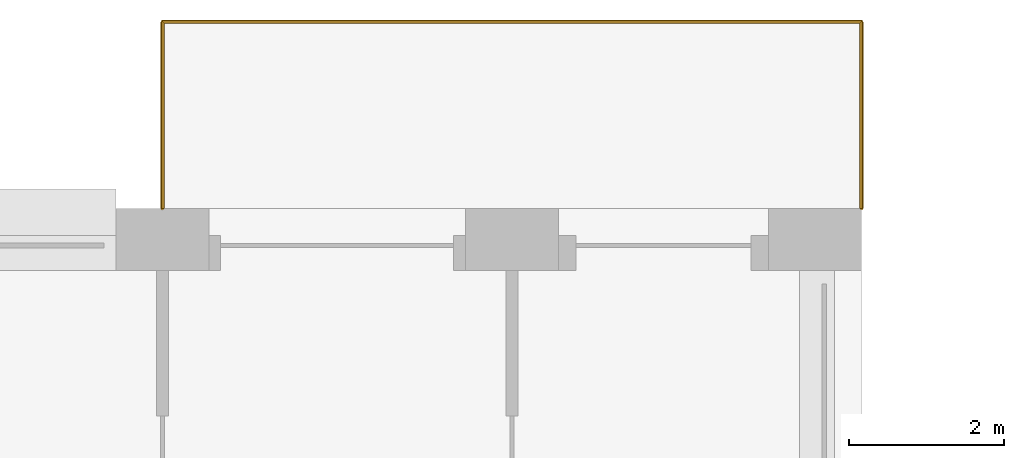
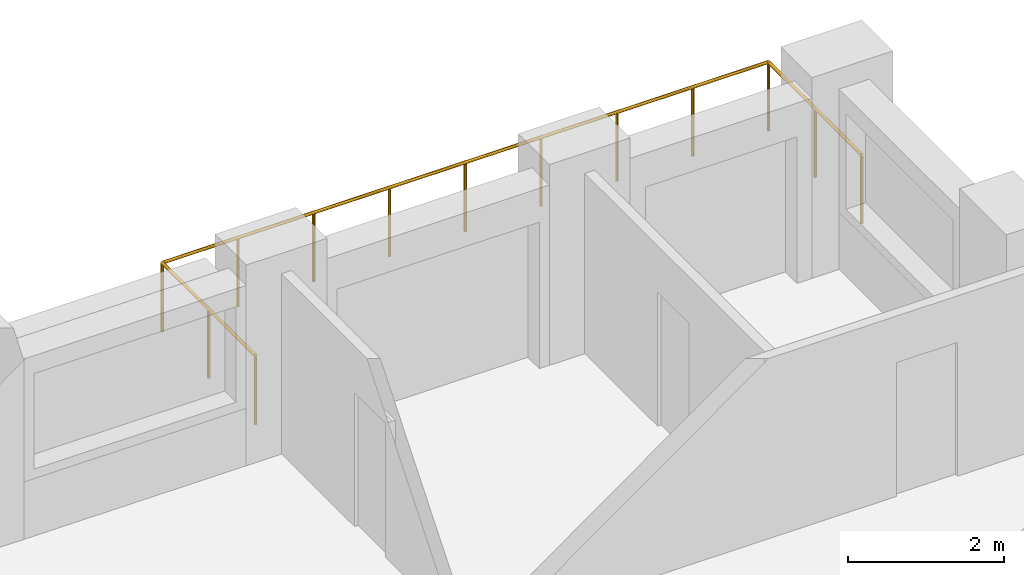
# One storey, part 21 of 21: 1 railing.
"""IFC4 building model written with IfcOpenShell, lengths in metres."""

from ifc_helpers import new_model, si_unit, direction, frame, origin, origin_2d, place, context, subcontext, project, spatial, circle, extrude, material, type_object, element, save


model = new_model("IFC4")

# Units and contexts
model_context = context("Model", 3, precision=1e-05, world=origin(), true_north=direction((0.0, 1.0)))
body_context = subcontext(model_context, "Body", "Model", "MODEL_VIEW")
ifc_project = project(units=[si_unit("LENGTHUNIT", "METRE"), si_unit("AREAUNIT", "SQUARE_METRE"), si_unit("VOLUMEUNIT", "CUBIC_METRE"), si_unit("PLANEANGLEUNIT", "RADIAN"), si_unit("MASSUNIT", "GRAM", prefix="KILO")], contexts=[model_context])

# Site, building, storey
site_placement = place(None, origin())
site = spatial("IfcSite", under=ifc_project, at=site_placement, CompositionType="ELEMENT")
building_placement = place(site_placement, origin())
building = spatial("IfcBuilding", under=site, at=building_placement, Name="Brigalow Station Residences", CompositionType="ELEMENT")
storey_placement = place(building_placement, frame((0.0, 0.0, 51.0)))
storey = spatial("IfcBuildingStorey", under=building, at=storey_placement, Name="L14", CompositionType="ELEMENT", Elevation=51.0)

# Railing
ifc_material = material(Name="Stainless steel balustrade with laminated glass infill", Category="steel")
railing_type = type_object("IfcRailingType", Name="BALCONY GUARD 1100", PredefinedType="GUARDRAIL", material=ifc_material)
railing_placement = place(storey_placement, frame((72.0, 48.5, -0.0400390625)))
element("IfcRailing", 1, at=railing_placement, inside=storey, type_object=railing_type, Name="L14/balcony-guard/2", PredefinedType="GUARDRAIL", context=body_context, shape_type="SweptSolid", body=[
    extrude(circle(Radius=0.02392578125, at=origin_2d()), frame((0.0, 0.0, 1.076171875), z_axis=(0.0, 1.0, 0.0), x_axis=(-1.0, 0.0, 0.0)), (0.0, 0.0, 1.0), 2.39990234375),
    extrude(circle(Radius=0.02392578125, at=origin_2d()), frame((0.0, 2.39990234375, 1.076171875), z_axis=(-1.0, 0.0, 0.0), x_axis=(0.0, -1.0, 0.0)), (0.0, 0.0, 1.0), 9.0),
    extrude(circle(Radius=0.02392578125, at=origin_2d()), frame((-9.0, 2.39990234375, 1.076171875), z_axis=(0.0, -1.0, 0.0), x_axis=(1.0, 0.0, 0.0)), (0.0, 0.0, 1.0), 2.39990234375),
    extrude(circle(Radius=0.02099609375, at=origin_2d()), origin(), (0.0, 0.0, 1.0), 1.052001953125),
    extrude(circle(Radius=0.02099609375, at=origin_2d()), frame((0.0, 1.199951171875, 0.0)), (0.0, 0.0, 1.0), 1.052001953125),
    extrude(circle(Radius=0.02099609375, at=origin_2d()), frame((0.0, 2.39990234375, 0.0)), (0.0, 0.0, 1.0), 1.052001953125),
    extrude(circle(Radius=0.02099609375, at=origin_2d()), frame((-1.125, 2.39990234375, 0.0)), (0.0, 0.0, 1.0), 1.052001953125),
    extrude(circle(Radius=0.02099609375, at=origin_2d()), frame((-2.25, 2.39990234375, 0.0)), (0.0, 0.0, 1.0), 1.052001953125),
    extrude(circle(Radius=0.02099609375, at=origin_2d()), frame((-3.375, 2.39990234375, 0.0)), (0.0, 0.0, 1.0), 1.052001953125),
    extrude(circle(Radius=0.02099609375, at=origin_2d()), frame((-4.5, 2.39990234375, 0.0)), (0.0, 0.0, 1.0), 1.052001953125),
    extrude(circle(Radius=0.02099609375, at=origin_2d()), frame((-5.625, 2.39990234375, 0.0)), (0.0, 0.0, 1.0), 1.052001953125),
    extrude(circle(Radius=0.02099609375, at=origin_2d()), frame((-6.75, 2.39990234375, 0.0)), (0.0, 0.0, 1.0), 1.052001953125),
    extrude(circle(Radius=0.02099609375, at=origin_2d()), frame((-7.875, 2.39990234375, 0.0)), (0.0, 0.0, 1.0), 1.052001953125),
    extrude(circle(Radius=0.02099609375, at=origin_2d()), frame((-9.0, 2.39990234375, 0.0)), (0.0, 0.0, 1.0), 1.052001953125),
    extrude(circle(Radius=0.02099609375, at=origin_2d()), frame((-9.0, 1.199951171875, 0.0)), (0.0, 0.0, 1.0), 1.052001953125),
    extrude(circle(Radius=0.02099609375, at=origin_2d()), frame((-9.0, 0.0, 0.0)), (0.0, 0.0, 1.0), 1.052001953125),
])

save(model, "model.ifc")
